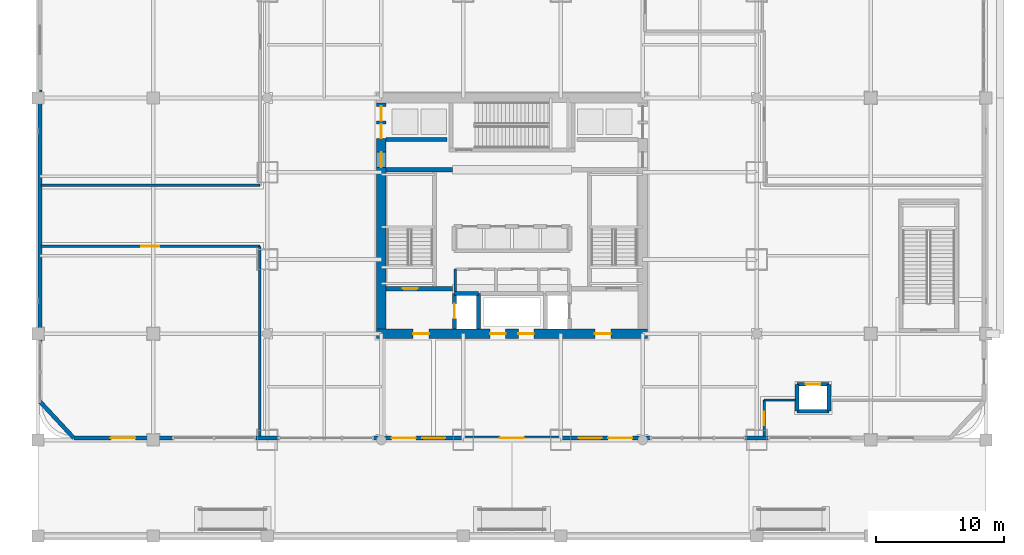
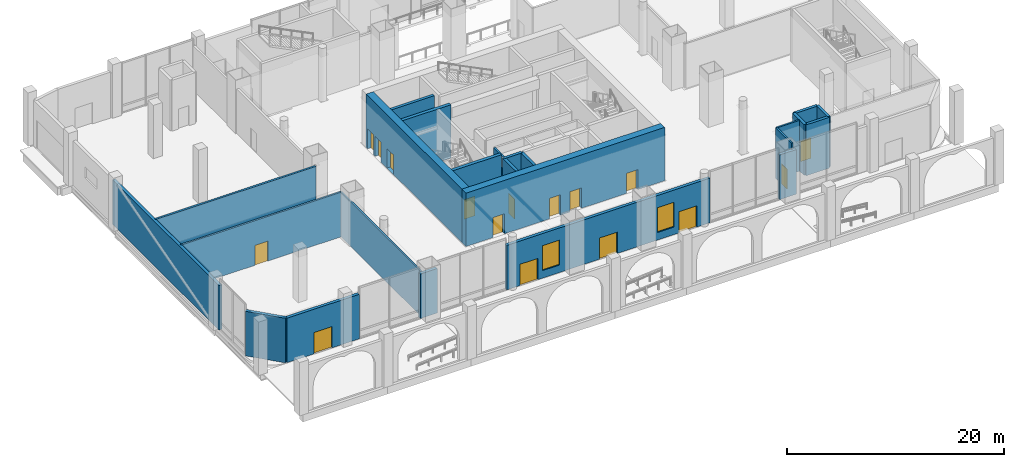
# One storey, part 21 of 32: 24 walls, 16 doors, 2 windows, 18 openings.
"""IFC4 building model written with IfcOpenShell, lengths in metres."""

import ifcopenshell
import ifcopenshell.guid

model = None  # the IFC model being written
_history = None  # IfcOwnerHistory: only IFC2X3 demands one
_inside = {}  # id of a spatial element -> (the spatial element, [elements in it])
_under = {}  # id of a project, library or spatial element -> (it, [spatial elements below it])
_declared = {}  # id of a project -> (the project, [libraries it declares])
_typed = {}  # id of a type object -> (the type object, [elements of that type])
_made_of = {}  # id of a material, layer set ... -> (it, [elements and type objects made of it])


def new_model(schema):
    """Start an empty IFC model of exactly this schema.

    Asked for "IFC4X3", IfcOpenShell would pick the latest addendum, in which some entities
    have other attributes; the version numbers below select the first issue.
    IFC2X3 requires an IfcOwnerHistory on every rooted entity: one is made here for all.
    """
    global model, _history
    if schema == "IFC4X3":
        model = ifcopenshell.file(schema_version=(4, 3, 0, 0))
    else:
        model = ifcopenshell.file(schema=schema)
    _inside.clear()
    _under.clear()
    _declared.clear()
    _typed.clear()
    _made_of.clear()
    _history = None
    if model.schema == "IFC2X3":
        org = make("IfcOrganization", Name="unknown")
        user = make(
            "IfcPersonAndOrganization",
            ThePerson=make("IfcPerson", FamilyName="unknown"),
            TheOrganization=org,
        )
        app = make(
            "IfcApplication",
            ApplicationDeveloper=org,
            Version="unknown",
            ApplicationFullName="unknown",
            ApplicationIdentifier="unknown",
        )
        _history = make(
            "IfcOwnerHistory",
            OwningUser=user,
            OwningApplication=app,
            ChangeAction="ADDED",
            CreationDate=0,
        )
    return model


def make(cls, **values):
    """One entity of the class cls with the attributes given. An attribute that is None is left unset."""
    return model.create_entity(
        cls, **{name: value for name, value in values.items() if value is not None}
    )


def rooted(cls, **values):
    """An entity with a GlobalId (a new one), such as an element, a storey or a relation."""
    return make(cls, GlobalId=ifcopenshell.guid.new(), OwnerHistory=_history, **values)


def si_unit(unit_type, name, prefix=None):
    """IfcSIUnit, for example si_unit("LENGTHUNIT", "METRE", prefix="MILLI")."""
    return make("IfcSIUnit", UnitType=unit_type, Prefix=prefix, Name=name)


def assignment(units):
    """IfcUnitAssignment: the units of a project."""
    return None if units is None else make("IfcUnitAssignment", Units=units)


def point(xyz):
    """IfcCartesianPoint."""
    return None if xyz is None else make("IfcCartesianPoint", Coordinates=xyz)


def direction(xyz):
    """IfcDirection."""
    return None if xyz is None else make("IfcDirection", DirectionRatios=xyz)


def frame(location, z_axis=None, x_axis=None):
    """IfcAxis2Placement3D, a coordinate frame: its origin and axes. An axis left out is left unset."""
    return make(
        "IfcAxis2Placement3D",
        Location=point(location),
        Axis=direction(z_axis),
        RefDirection=direction(x_axis),
    )


def frame_2d(location, x_axis=None):
    """IfcAxis2Placement2D, a coordinate frame in the plane: its origin and x axis."""
    return make(
        "IfcAxis2Placement2D", Location=point(location), RefDirection=direction(x_axis)
    )


def origin():
    """The frame at (0, 0, 0) with its axes left unset."""
    return frame((0.0, 0.0, 0.0))


def place(relative_to, where):
    """IfcLocalPlacement: puts the frame where relative to a parent placement (None: the world)."""
    return make(
        "IfcLocalPlacement", PlacementRelTo=relative_to, RelativePlacement=where
    )


def context(
    kind, dimensions, precision=None, world=None, true_north=None, identifier=None
):
    """IfcGeometricRepresentationContext, for example the 3D "Model" context."""
    return make(
        "IfcGeometricRepresentationContext",
        ContextIdentifier=identifier,
        ContextType=kind,
        CoordinateSpaceDimension=dimensions,
        Precision=precision,
        WorldCoordinateSystem=world,
        TrueNorth=true_north,
    )


def subcontext(parent, identifier, kind, view, scale=None):
    """IfcGeometricRepresentationSubContext, for example "Body" below "Model"."""
    return make(
        "IfcGeometricRepresentationSubContext",
        ContextIdentifier=identifier,
        ContextType=kind,
        ParentContext=parent,
        TargetScale=scale,
        TargetView=view,
    )


def project(units=None, contexts=None):
    """IfcProject with its units and contexts."""
    return rooted(
        "IfcProject",
        Name="project",
        RepresentationContexts=contexts,
        UnitsInContext=assignment(units),
    )


def spatial(cls, under=None, at=None, **own):
    """A site, building, storey or space (cls), placed at a placement, below another one or the project."""
    s = rooted(cls, ObjectPlacement=at, **own)
    if under is not None:
        _under.setdefault(under.id(), (under, []))[1].append(s)
    return s


def profile(cls, at=None, kind="AREA", **sizes):
    """A parametric profile (cls). Its sizes go by their IFC names, for example OverallWidth=200.0."""
    return make(cls, ProfileType=kind, Position=at, **sizes)


def rectangle(**sizes):
    """IfcRectangleProfileDef."""
    return profile("IfcRectangleProfileDef", **sizes)


def extrude(swept, where, along, depth):
    """IfcExtrudedAreaSolid: the profile swept, set in the frame where, extruded along a direction by depth."""
    return make(
        "IfcExtrudedAreaSolid",
        SweptArea=swept,
        Position=where,
        ExtrudedDirection=direction(along),
        Depth=depth,
    )


def shape(context_of_items, identifier, shape_type, items):
    """IfcShapeRepresentation: the items that make up one representation, for example the "Body"."""
    return make(
        "IfcShapeRepresentation",
        ContextOfItems=context_of_items,
        RepresentationIdentifier=identifier,
        RepresentationType=shape_type,
        Items=items,
    )


def material(Name=None, Category=None):
    """IfcMaterial."""
    return make("IfcMaterial", Name=Name, Category=Category)


def layer(
    of_material, thickness, ventilated=None, Name=None, Category=None, Priority=None
):
    """IfcMaterialLayer: one layer of a wall or slab, of a material (None: an air gap)."""
    return make(
        "IfcMaterialLayer",
        Material=of_material,
        LayerThickness=thickness,
        IsVentilated=ventilated,
        Name=Name,
        Category=Category,
        Priority=Priority,
    )


def layer_set(layers, Name=None):
    """IfcMaterialLayerSet."""
    return make("IfcMaterialLayerSet", MaterialLayers=layers, LayerSetName=Name)


def made_of(thing, what):
    """Note that an element or type object is made of a material, layer set ...; save() writes the relation."""
    if what is not None:
        _made_of.setdefault(what.id(), (what, []))[1].append(thing)
    return thing


def type_object(cls, material=None, **own):
    """A type object (cls), such as IfcWallType, which elements share."""
    return made_of(rooted(cls, **own), material)


def element(
    cls,
    number,
    at=None,
    inside=None,
    cuts=None,
    type_object=None,
    material=None,
    context=None,
    identifier="Body",
    shape_type=None,
    held_by="IfcProductDefinitionShape",
    body=None,
    shapes=None,
    **own,
):
    """One element of the class cls, such as IfcWall. Its Tag is "e" and its number.

    at: its placement. inside: the storey or other place that contains it. cuts: it is an
    opening in that element (IfcRelVoidsElement). A single representation is given by context,
    identifier, shape_type and body (its items); several are given by shapes. held_by: the class
    of the entity that holds the representations. save() writes the other relations.
    """
    e = rooted(cls, Tag="e%d" % number, ObjectPlacement=at, **own)
    if body is not None:
        shapes = [shape(context, identifier, shape_type, body)]
    if shapes is not None:
        e.Representation = make(held_by, Representations=shapes)
    if inside is not None:
        _inside.setdefault(inside.id(), (inside, []))[1].append(e)
    if cuts is not None:
        rooted(
            "IfcRelVoidsElement", RelatingBuildingElement=cuts, RelatedOpeningElement=e
        )
    if type_object is not None:
        _typed.setdefault(type_object.id(), (type_object, []))[1].append(e)
    return made_of(e, material)


def fill(opening, filler):
    """IfcRelFillsElement: the door or window that sits in an opening."""
    return rooted(
        "IfcRelFillsElement",
        RelatingOpeningElement=opening,
        RelatedBuildingElement=filler,
    )


def aggregate(whole, parts):
    """IfcRelAggregates: a whole, such as a stair, and the parts it consists of."""
    return rooted("IfcRelAggregates", RelatingObject=whole, RelatedObjects=parts)


def save(model, path):
    """Write the relations noted so far, then the file.

    IfcRelAggregates (storeys below a building ...), IfcRelContainedInSpatialStructure (elements
    in a storey), IfcRelDefinesByType, IfcRelAssociatesMaterial and IfcRelDeclares: one each for
    every whole, place, type object, material and project.
    """
    for whole, parts in _under.values():
        aggregate(whole, parts)
    for where, things in _inside.values():
        rooted(
            "IfcRelContainedInSpatialStructure",
            RelatedElements=things,
            RelatingStructure=where,
        )
    for kind, things in _typed.values():
        rooted("IfcRelDefinesByType", RelatedObjects=things, RelatingType=kind)
    for what, things in _made_of.values():
        rooted("IfcRelAssociatesMaterial", RelatedObjects=things, RelatingMaterial=what)
    for by, libraries in _declared.values():
        rooted("IfcRelDeclares", RelatingContext=by, RelatedDefinitions=libraries)
    model.write(path)


model = new_model("IFC4")

# Units and contexts
model_context = context("Model", 3, precision=1e-05, world=origin(), true_north=direction((0.0, 1.0)))
body_context = subcontext(model_context, "Body", "Model", "MODEL_VIEW")
ifc_project = project(units=[si_unit("LENGTHUNIT", "METRE"), si_unit("AREAUNIT", "SQUARE_METRE"), si_unit("VOLUMEUNIT", "CUBIC_METRE"), si_unit("PLANEANGLEUNIT", "RADIAN"), si_unit("MASSUNIT", "GRAM", prefix="KILO")], contexts=[model_context])

# Site, building, storey
site_placement = place(None, origin())
site = spatial("IfcSite", under=ifc_project, at=site_placement, CompositionType="ELEMENT")
building_placement = place(site_placement, origin())
building = spatial("IfcBuilding", under=site, at=building_placement, Name="Punatoya Terracotta Tower", CompositionType="ELEMENT")
storey_placement = place(building_placement, origin())
storey = spatial("IfcBuildingStorey", under=building, at=storey_placement, Name="L00", CompositionType="ELEMENT", Elevation=0.0)

# Wall, openings, doors
ifc_material_1 = material(Name="Concrete C60/75", Category="concrete")
ifc_layer_1 = layer(ifc_material_1, 0.75)
ifc_layer_set_1 = layer_set([ifc_layer_1], Name="Concrete C60/75")
wall_type_1 = type_object("IfcWallType", Name="WL-COR-750", PredefinedType="SHEAR", material=ifc_layer_set_1)
wall_1_placement = place(storey_placement, frame((10.574951171875, -9.199951171875, 0.0), z_axis=(0.0, 0.0, 1.0), x_axis=(-1.0, 0.0, 0.0)))
wall_1 = element("IfcWall", 1, at=wall_1_placement, inside=storey, type_object=wall_type_1, Name="L00 Core Shear Wall S", PredefinedType="SHEAR", context=body_context, shape_type="SweptSolid", body=[
    extrude(rectangle(XDim=21.14990234375, YDim=0.75, at=frame_2d((10.574951171875, 0.0))), origin(), (0.0, 0.0, 1.0), 6.0),
])
opening_1_placement = place(wall_1_placement, frame((2.85009765625, 0.0, 0.0)))
opening_1 = element("IfcOpeningElement", 2, at=opening_1_placement, cuts=wall_1, Name="Opening FD-L1", PredefinedType="OPENING", context=body_context, shape_type="SweptSolid", body=[
    extrude(rectangle(XDim=1.25, YDim=2.25, at=frame_2d((0.625, 1.125))), frame((0.0, 0.385009765625, 0.0), z_axis=(0.0, -1.0, 0.0), x_axis=(1.0, 0.0, 0.0)), (0.0, 0.0, 1.0), 0.77001953125),
])
opening_2_placement = place(wall_1_placement, frame((17.050048828125, 0.0, 0.0)))
opening_2 = element("IfcOpeningElement", 3, at=opening_2_placement, cuts=wall_1, Name="Opening FD-L1", PredefinedType="OPENING", context=body_context, shape_type="SweptSolid", body=[
    extrude(rectangle(XDim=1.25, YDim=2.25, at=frame_2d((0.625, 1.125))), frame((0.0, 0.385009765625, 0.0), z_axis=(0.0, -1.0, 0.0), x_axis=(1.0, 0.0, 0.0)), (0.0, 0.0, 1.0), 0.77001953125),
])
opening_3_placement = place(wall_1_placement, frame((11.074951171875, 0.0, 0.0)))
opening_3 = element("IfcOpeningElement", 4, at=opening_3_placement, cuts=wall_1, Name="Opening LD-01", PredefinedType="OPENING", context=body_context, shape_type="SweptSolid", body=[
    extrude(rectangle(XDim=1.199951171875, YDim=2.300048828125, at=frame_2d((0.60009765625, 1.14990234375))), frame((0.0, 0.385009765625, 0.0), z_axis=(0.0, -1.0, 0.0), x_axis=(1.0, 0.0, 0.0)), (0.0, 0.0, 1.0), 0.77001953125),
])
opening_4_placement = place(wall_1_placement, frame((8.875, 0.0, 0.0)))
opening_4 = element("IfcOpeningElement", 5, at=opening_4_placement, cuts=wall_1, Name="Opening LD-01", PredefinedType="OPENING", context=body_context, shape_type="SweptSolid", body=[
    extrude(rectangle(XDim=1.199951171875, YDim=2.300048828125, at=frame_2d((0.60009765625, 1.14990234375))), frame((0.0, 0.385009765625, 0.0), z_axis=(0.0, -1.0, 0.0), x_axis=(1.0, 0.0, 0.0)), (0.0, 0.0, 1.0), 0.77001953125),
])
ifc_material_2 = material(Name="Galvanised Steel Smokeproof Fire Door", Category="steel")
door_type_1 = type_object("IfcDoorType", Name="DR-FFL-1250", OperationType="NOTDEFINED", PredefinedType="DOOR", material=ifc_material_2)
door_1_placement = place(opening_1_placement, origin())
door_1 = element("IfcDoor", 6, at=door_1_placement, inside=storey, type_object=door_type_1, Name="L00 East Firefighting Lobby Corridor Fire Door", OperationType="SINGLE_SWING_LEFT", OverallHeight=2.25, OverallWidth=1.25, PredefinedType="DOOR", context=body_context, shape_type="SweptSolid", body=[
    extrude(rectangle(XDim=1.25, YDim=2.25, at=frame_2d((0.625, 1.125))), frame((0.0, 0.02490234375, 0.0), z_axis=(0.0, -1.0, 0.0), x_axis=(1.0, 0.0, 0.0)), (0.0, 0.0, 1.0), 0.050048828125),
])
fill(opening_1, door_1)
door_2_placement = place(opening_2_placement, origin())
door_2 = element("IfcDoor", 7, at=door_2_placement, inside=storey, type_object=door_type_1, Name="L00 West Firefighting Lobby Corridor Fire Door", OperationType="SINGLE_SWING_RIGHT", OverallHeight=2.25, OverallWidth=1.25, PredefinedType="DOOR", context=body_context, shape_type="SweptSolid", body=[
    extrude(rectangle(XDim=1.25, YDim=2.25, at=frame_2d((0.625, 1.125))), frame((0.0, 0.02490234375, 0.0), z_axis=(0.0, -1.0, 0.0), x_axis=(1.0, 0.0, 0.0)), (0.0, 0.0, 1.0), 0.050048828125),
])
fill(opening_2, door_2)
ifc_material_3 = material(Name="Stainless Steel Lift Landing Door", Category="steel")
door_type_2 = type_object("IfcDoorType", Name="DR-LND-1200", OperationType="NOTDEFINED", PredefinedType="DOOR", material=ifc_material_3)
door_3_placement = place(opening_3_placement, origin())
door_3 = element("IfcDoor", 8, at=door_3_placement, inside=storey, type_object=door_type_2, Name="L00 Observation Express OB-1 Sliding Landing Door", OperationType="DOUBLE_DOOR_SLIDING", OverallHeight=2.300048828125, OverallWidth=1.199951171875, PredefinedType="DOOR", context=body_context, shape_type="SweptSolid", body=[
    extrude(rectangle(XDim=1.199951171875, YDim=2.300048828125, at=frame_2d((0.60009765625, 1.14990234375))), frame((0.0, 0.02490234375, 0.0), z_axis=(0.0, -1.0, 0.0), x_axis=(1.0, 0.0, 0.0)), (0.0, 0.0, 1.0), 0.050048828125),
])
fill(opening_3, door_3)
door_4_placement = place(opening_4_placement, origin())
door_4 = element("IfcDoor", 9, at=door_4_placement, inside=storey, type_object=door_type_2, Name="L00 Observation Express OB-2 Sliding Landing Door", OperationType="DOUBLE_DOOR_SLIDING", OverallHeight=2.300048828125, OverallWidth=1.199951171875, PredefinedType="DOOR", context=body_context, shape_type="SweptSolid", body=[
    extrude(rectangle(XDim=1.199951171875, YDim=2.300048828125, at=frame_2d((0.60009765625, 1.14990234375))), frame((0.0, 0.02490234375, 0.0), z_axis=(0.0, -1.0, 0.0), x_axis=(1.0, 0.0, 0.0)), (0.0, 0.0, 1.0), 0.050048828125),
])
fill(opening_4, door_4)

wall_2_placement = place(storey_placement, frame((-10.199951171875, -8.824951171875, 0.0), z_axis=(0.0, 0.0, 1.0), x_axis=(0.0, 1.0, 0.0)))
wall_2 = element("IfcWall", 10, at=wall_2_placement, inside=storey, type_object=wall_type_1, Name="L00 Core Shear Wall W", PredefinedType="SHEAR", context=body_context, shape_type="SweptSolid", body=[
    extrude(rectangle(XDim=17.64990234375, YDim=0.75, at=frame_2d((8.824951171875, 0.0))), origin(), (0.0, 0.0, 1.0), 6.0),
])
opening_5_placement = place(wall_2_placement, frame((12.614990234375, 0.0, 0.0)))
opening_5 = element("IfcOpeningElement", 11, at=opening_5_placement, cuts=wall_2, Name="Opening SD-01", PredefinedType="OPENING", context=body_context, shape_type="SweptSolid", body=[
    extrude(rectangle(XDim=1.179931640625, YDim=2.199951171875, at=frame_2d((0.58984375, 1.10009765625))), frame((0.0, 0.385009765625, 0.0), z_axis=(0.0, -1.0, 0.0), x_axis=(1.0, 0.0, 0.0)), (0.0, 0.0, 1.0), 0.77001953125),
])
opening_6_placement = place(wall_2_placement, frame((14.864990234375, 0.0, 0.0)))
opening_6 = element("IfcOpeningElement", 12, at=opening_6_placement, cuts=wall_2, Name="Opening LD-02", PredefinedType="OPENING", context=body_context, shape_type="SweptSolid", body=[
    extrude(rectangle(XDim=1.1201171875, YDim=2.25, at=frame_2d((0.56005859375, 1.125))), frame((0.0, 0.385009765625, 0.0), z_axis=(0.0, -1.0, 0.0), x_axis=(1.0, 0.0, 0.0)), (0.0, 0.0, 1.0), 0.77001953125),
])
opening_7_placement = place(wall_2_placement, frame((16.2451171875, 0.0, 0.0)))
opening_7 = element("IfcOpeningElement", 13, at=opening_7_placement, cuts=wall_2, Name="Opening LD-02", PredefinedType="OPENING", context=body_context, shape_type="SweptSolid", body=[
    extrude(rectangle(XDim=1.1201171875, YDim=2.25, at=frame_2d((0.56005859375, 1.125))), frame((0.0, 0.385009765625, 0.0), z_axis=(0.0, -1.0, 0.0), x_axis=(1.0, 0.0, 0.0)), (0.0, 0.0, 1.0), 0.77001953125),
])
door_type_3 = type_object("IfcDoorType", Name="DR-LND-1120", OperationType="NOTDEFINED", PredefinedType="DOOR", material=ifc_material_3)
door_5_placement = place(opening_6_placement, origin())
door_5 = element("IfcDoor", 14, at=door_5_placement, inside=storey, type_object=door_type_3, Name="L00 Sky-Lobby Shuttle SL-1A Sliding Landing Door", OperationType="DOUBLE_DOOR_SLIDING", OverallHeight=2.25, OverallWidth=1.1201171875, PredefinedType="DOOR", context=body_context, shape_type="SweptSolid", body=[
    extrude(rectangle(XDim=1.1201171875, YDim=2.25, at=frame_2d((0.56005859375, 1.125))), frame((0.0, 0.02490234375, 0.0), z_axis=(0.0, -1.0, 0.0), x_axis=(1.0, 0.0, 0.0)), (0.0, 0.0, 1.0), 0.050048828125),
])
fill(opening_6, door_5)
door_6_placement = place(opening_7_placement, origin())
door_6 = element("IfcDoor", 15, at=door_6_placement, inside=storey, type_object=door_type_3, Name="L00 Sky-Lobby Shuttle SL-1B Sliding Landing Door", OperationType="DOUBLE_DOOR_SLIDING", OverallHeight=2.25, OverallWidth=1.1201171875, PredefinedType="DOOR", context=body_context, shape_type="SweptSolid", body=[
    extrude(rectangle(XDim=1.1201171875, YDim=2.25, at=frame_2d((0.56005859375, 1.125))), frame((0.0, 0.02490234375, 0.0), z_axis=(0.0, -1.0, 0.0), x_axis=(1.0, 0.0, 0.0)), (0.0, 0.0, 1.0), 0.050048828125),
])
fill(opening_7, door_6)
ifc_material_4 = material(Name="Galvanised Steel Pressurized Stair Fire Door", Category="steel")
door_type_4 = type_object("IfcDoorType", Name="DR-STR-1180", OperationType="NOTDEFINED", PredefinedType="DOOR", material=ifc_material_4)
door_7_placement = place(opening_5_placement, origin())
door_7 = element("IfcDoor", 16, at=door_7_placement, inside=storey, type_object=door_type_4, Name="L00 Central Lift Lobby West Fire Door", OperationType="SINGLE_SWING_LEFT", OverallHeight=2.199951171875, OverallWidth=1.179931640625, PredefinedType="DOOR", context=body_context, shape_type="SweptSolid", body=[
    extrude(rectangle(XDim=1.179931640625, YDim=2.199951171875, at=frame_2d((0.58984375, 1.10009765625))), frame((0.0, 0.02490234375, 0.0), z_axis=(0.0, -1.0, 0.0), x_axis=(1.0, 0.0, 0.0)), (0.0, 0.0, 1.0), 0.050048828125),
])
fill(opening_5, door_7)

# Wall, opening, door
ifc_material_5 = material(Name="Gypsum Fireboard + Steel Stud", Category="steel")
ifc_layer_2 = layer(ifc_material_5, 0.179931640625)
ifc_layer_set_2 = layer_set([ifc_layer_2], Name="Gypsum Fireboard + Steel Stud")
wall_type_2 = type_object("IfcWallType", Name="WL-CORR-180", PredefinedType="PARTITIONING", material=ifc_layer_set_2)
wall_3_placement = place(storey_placement, frame((-36.780029296875, -2.3798828125, 0.0), z_axis=(0.0, 0.0, 1.0), x_axis=(1.0, 0.0, 0.0)))
wall_3 = element("IfcWall", 17, at=wall_3_placement, inside=storey, type_object=wall_type_2, Name="L00 West Heritage Terracotta Exhibition Gallery Partition 08", PredefinedType="PARTITIONING", context=body_context, shape_type="SweptSolid", body=[
    extrude(rectangle(XDim=17.10009765625, YDim=0.179931640625, at=frame_2d((8.550048828125, 0.0))), origin(), (0.0, 0.0, 1.0), 5.013916015625),
])
opening_8_placement = place(wall_3_placement, frame((7.85009765625, 0.0, 0.0)))
opening_8 = element("IfcOpeningElement", 18, at=opening_8_placement, cuts=wall_3, Name="Opening BD-01", PredefinedType="OPENING", context=body_context, shape_type="SweptSolid", body=[
    extrude(rectangle(XDim=1.39990234375, YDim=2.25, at=frame_2d((0.699951171875, 1.125))), frame((0.0, 0.099853515625, 0.0), z_axis=(0.0, -1.0, 0.0), x_axis=(1.0, 0.0, 0.0)), (0.0, 0.0, 1.0), 0.199951171875),
])
ifc_material_6 = material(Name="Bengal Teak Acoustic Leaf")
door_type_5 = type_object("IfcDoorType", Name="DR-BRD-1400", OperationType="NOTDEFINED", PredefinedType="DOOR", material=ifc_material_6)
door_8_placement = place(opening_8_placement, origin())
door_8 = element("IfcDoor", 19, at=door_8_placement, inside=storey, type_object=door_type_5, Name="L00 West Heritage Terracotta Exhibition Gallery Door", OperationType="SINGLE_SWING_RIGHT", OverallHeight=2.25, OverallWidth=1.39990234375, PredefinedType="DOOR", context=body_context, shape_type="SweptSolid", body=[
    extrude(rectangle(XDim=1.39990234375, YDim=2.25, at=frame_2d((0.699951171875, 1.125))), frame((0.0, 0.02490234375, 0.0), z_axis=(0.0, -1.0, 0.0), x_axis=(1.0, 0.0, 0.0)), (0.0, 0.0, 1.0), 0.050048828125),
])
fill(opening_8, door_8)

# Wall
wall_4_placement = place(storey_placement, frame((-19.679931640625, -2.3798828125, 0.0), z_axis=(0.0, 0.0, 1.0), x_axis=(0.0, -1.0, 0.0)))
element("IfcWall", 20, at=wall_4_placement, inside=storey, type_object=wall_type_2, Name="L00 West Heritage Terracotta Exhibition Gallery Partition 09", PredefinedType="PARTITIONING", context=body_context, shape_type="SweptSolid", body=[
    extrude(rectangle(XDim=14.900146484375, YDim=0.179931640625, at=frame_2d((7.4501953125, 0.0))), origin(), (0.0, 0.0, 1.0), 5.013916015625),
])

# Wall, opening, door
wall_5_placement = place(storey_placement, frame((19.679931640625, -17.280029296875, 0.0), z_axis=(0.0, 0.0, 1.0), x_axis=(0.0, 1.0, 0.0)))
wall_5 = element("IfcWall", 21, at=wall_5_placement, inside=storey, type_object=wall_type_2, Name="L00 Waterfront Banking and Visitor Reception Suite Partition 12", PredefinedType="PARTITIONING", context=body_context, shape_type="SweptSolid", body=[
    extrude(rectangle(XDim=2.900146484375, YDim=0.179931640625, at=frame_2d((1.4501953125, 0.0))), origin(), (0.0, 0.0, 1.0), 5.719970703125),
])
opening_9_placement = place(wall_5_placement, frame((0.925048828125, 0.0, 0.0)))
opening_9 = element("IfcOpeningElement", 22, at=opening_9_placement, cuts=wall_5, Name="Opening OD-01", PredefinedType="OPENING", context=body_context, shape_type="SweptSolid", body=[
    extrude(rectangle(XDim=1.050048828125, YDim=2.199951171875, at=frame_2d((0.52490234375, 1.10009765625))), frame((0.0, 0.099853515625, 0.0), z_axis=(0.0, -1.0, 0.0), x_axis=(1.0, 0.0, 0.0)), (0.0, 0.0, 1.0), 0.199951171875),
])
ifc_material_7 = material(Name="Bengal Teak Solid-Core Leaf")
door_type_6 = type_object("IfcDoorType", Name="DR-OFF-1050", OperationType="NOTDEFINED", PredefinedType="DOOR", material=ifc_material_7)
door_9_placement = place(opening_9_placement, origin())
door_9 = element("IfcDoor", 23, at=door_9_placement, inside=storey, type_object=door_type_6, Name="L00 Waterfront Banking and Visitor Reception Suite Door", OperationType="SINGLE_SWING_RIGHT", OverallHeight=2.199951171875, OverallWidth=1.050048828125, PredefinedType="DOOR", context=body_context, shape_type="SweptSolid", body=[
    extrude(rectangle(XDim=1.050048828125, YDim=2.199951171875, at=frame_2d((0.52490234375, 1.10009765625))), frame((0.0, 0.02490234375, 0.0), z_axis=(0.0, -1.0, 0.0), x_axis=(1.0, 0.0, 0.0)), (0.0, 0.0, 1.0), 0.050048828125),
])
fill(opening_9, door_9)

# Wall
wall_6_placement = place(storey_placement, frame((19.679931640625, -14.3798828125, 0.0), z_axis=(0.0, 0.0, 1.0), x_axis=(1.0, 0.0, 0.0)))
element("IfcWall", 24, at=wall_6_placement, inside=storey, type_object=wall_type_2, Name="L00 Waterfront Banking and Visitor Reception Suite Partition 13", PredefinedType="PARTITIONING", context=body_context, shape_type="SweptSolid", body=[
    extrude(rectangle(XDim=2.4599609375, YDim=0.179931640625, at=frame_2d((1.22998046875, 0.0))), origin(), (0.0, 0.0, 1.0), 5.719970703125),
])

# Wall, opening, door
ifc_material_8 = material(Name="Precast concrete C40/50", Category="concrete")
ifc_layer_3 = layer(ifc_material_8, 0.320068359375)
ifc_layer_set_3 = layer_set([ifc_layer_3], Name="Precast concrete C40/50")
wall_type_3 = type_object("IfcWallType", Name="WL-EXT-320", PredefinedType="SOLIDWALL", material=ifc_layer_set_3)
wall_7_placement = place(storey_placement, frame((-26.5, -17.340087890625, 0.0), z_axis=(0.0, 0.0, 1.0), x_axis=(-1.0, 0.0, 0.0)))
wall_7 = element("IfcWall", 25, at=wall_7_placement, inside=storey, type_object=wall_type_3, Name="L00 South-West Terracotta Portal Wall", PredefinedType="SOLIDWALL", context=body_context, shape_type="SweptSolid", body=[
    extrude(rectangle(XDim=7.699951171875, YDim=0.320068359375, at=frame_2d((3.85009765625, 0.0))), origin(), (0.0, 0.0, 1.0), 5.013916015625),
])
opening_10_placement = place(wall_7_placement, frame((2.89990234375, 0.0, 0.0)))
opening_10 = element("IfcOpeningElement", 26, at=opening_10_placement, cuts=wall_7, Name="Opening EX-D1", PredefinedType="OPENING", context=body_context, shape_type="SweptSolid", body=[
    extrude(rectangle(XDim=1.89990234375, YDim=2.39990234375, at=frame_2d((0.949951171875, 1.199951171875))), frame((0.0, 0.169921875, 0.0), z_axis=(0.0, -1.0, 0.0), x_axis=(1.0, 0.0, 0.0)), (0.0, 0.0, 1.0), 0.340087890625),
])
ifc_material_9 = material(Name="Aluminium 6063-T6 + Safety Glass", Category="aluminium")
door_type_7 = type_object("IfcDoorType", Name="DR-EXIT-1900", OperationType="NOTDEFINED", PredefinedType="DOOR", material=ifc_material_9)
door_10_placement = place(opening_10_placement, origin())
door_10 = element("IfcDoor", 27, at=door_10_placement, inside=storey, type_object=door_type_7, Name="L00 South-West Waterfront Exit Door", OperationType="DOUBLE_DOOR_SINGLE_SWING", OverallHeight=2.39990234375, OverallWidth=1.89990234375, PredefinedType="DOOR", context=body_context, shape_type="SweptSolid", body=[
    extrude(rectangle(XDim=1.89990234375, YDim=2.39990234375, at=frame_2d((0.949951171875, 1.199951171875))), frame((0.0, 0.02490234375, 0.0), z_axis=(0.0, -1.0, 0.0), x_axis=(1.0, 0.0, 0.0)), (0.0, 0.0, 1.0), 0.050048828125),
])
fill(opening_10, door_10)

# Wall
wall_8_placement = place(storey_placement, frame((-18.199951171875, -17.340087890625, 0.0), z_axis=(0.0, 0.0, 1.0), x_axis=(-1.0, 0.0, 0.0)))
element("IfcWall", 28, at=wall_8_placement, inside=storey, type_object=wall_type_3, Name="L00 Mega-Column Terracotta Cladding Pier SW", PredefinedType="SOLIDWALL", context=body_context, shape_type="SweptSolid", body=[
    extrude(rectangle(XDim=1.800048828125, YDim=0.320068359375, at=frame_2d((0.89990234375, 0.0))), origin(), (0.0, 0.0, 1.0), 5.013916015625),
])

# Wall, openings, doors, windows
wall_9_placement = place(storey_placement, frame((10.800048828125, -17.340087890625, 0.0), z_axis=(0.0, 0.0, 1.0), x_axis=(-1.0, 0.0, 0.0)))
wall_9 = element("IfcWall", 29, at=wall_9_placement, inside=storey, type_object=wall_type_3, Name="L00 Grand Waterfront Entrance Portal Wall", PredefinedType="SOLIDWALL", context=body_context, shape_type="SweptSolid", body=[
    extrude(rectangle(XDim=21.60009765625, YDim=0.320068359375, at=frame_2d((10.800048828125, 0.0))), origin(), (0.0, 0.0, 1.0), 5.013916015625),
])
opening_11_placement = place(wall_9_placement, frame((1.39990234375, 0.0, 0.0)))
opening_11 = element("IfcOpeningElement", 30, at=opening_11_placement, cuts=wall_9, Name="Opening EX-D1", PredefinedType="OPENING", context=body_context, shape_type="SweptSolid", body=[
    extrude(rectangle(XDim=1.89990234375, YDim=2.39990234375, at=frame_2d((0.949951171875, 1.199951171875))), frame((0.0, 0.169921875, 0.0), z_axis=(0.0, -1.0, 0.0), x_axis=(1.0, 0.0, 0.0)), (0.0, 0.0, 1.0), 0.340087890625),
])
opening_12_placement = place(wall_9_placement, frame((3.800048828125, 0.0, 0.85009765625)))
opening_12 = element("IfcOpeningElement", 31, at=opening_12_placement, cuts=wall_9, Name="Opening WN-02", PredefinedType="OPENING", context=body_context, shape_type="SweptSolid", body=[
    extrude(rectangle(XDim=1.800048828125, YDim=2.800048828125, at=frame_2d((0.89990234375, 1.39990234375))), frame((0.0, 0.169921875, 0.0), z_axis=(0.0, -1.0, 0.0), x_axis=(1.0, 0.0, 0.0)), (0.0, 0.0, 1.0), 0.340087890625),
])
opening_13_placement = place(wall_9_placement, frame((9.85009765625, 0.0, 0.0)))
opening_13 = element("IfcOpeningElement", 32, at=opening_13_placement, cuts=wall_9, Name="Opening EX-D1", PredefinedType="OPENING", context=body_context, shape_type="SweptSolid", body=[
    extrude(rectangle(XDim=1.89990234375, YDim=2.39990234375, at=frame_2d((0.949951171875, 1.199951171875))), frame((0.0, 0.169921875, 0.0), z_axis=(0.0, -1.0, 0.0), x_axis=(1.0, 0.0, 0.0)), (0.0, 0.0, 1.0), 0.340087890625),
])
opening_14_placement = place(wall_9_placement, frame((16.0, 0.0, 0.85009765625)))
opening_14 = element("IfcOpeningElement", 33, at=opening_14_placement, cuts=wall_9, Name="Opening WN-02", PredefinedType="OPENING", context=body_context, shape_type="SweptSolid", body=[
    extrude(rectangle(XDim=1.800048828125, YDim=2.800048828125, at=frame_2d((0.89990234375, 1.39990234375))), frame((0.0, 0.169921875, 0.0), z_axis=(0.0, -1.0, 0.0), x_axis=(1.0, 0.0, 0.0)), (0.0, 0.0, 1.0), 0.340087890625),
])
opening_15_placement = place(wall_9_placement, frame((18.300048828125, 0.0, 0.0)))
opening_15 = element("IfcOpeningElement", 34, at=opening_15_placement, cuts=wall_9, Name="Opening EX-D1", PredefinedType="OPENING", context=body_context, shape_type="SweptSolid", body=[
    extrude(rectangle(XDim=1.89990234375, YDim=2.39990234375, at=frame_2d((0.949951171875, 1.199951171875))), frame((0.0, 0.169921875, 0.0), z_axis=(0.0, -1.0, 0.0), x_axis=(1.0, 0.0, 0.0)), (0.0, 0.0, 1.0), 0.340087890625),
])
door_11_placement = place(opening_11_placement, origin())
door_11 = element("IfcDoor", 35, at=door_11_placement, inside=storey, type_object=door_type_7, Name="L00 Grand Waterfront East Entrance Door", OperationType="DOUBLE_DOOR_SINGLE_SWING", OverallHeight=2.39990234375, OverallWidth=1.89990234375, PredefinedType="DOOR", context=body_context, shape_type="SweptSolid", body=[
    extrude(rectangle(XDim=1.89990234375, YDim=2.39990234375, at=frame_2d((0.949951171875, 1.199951171875))), frame((0.0, 0.02490234375, 0.0), z_axis=(0.0, -1.0, 0.0), x_axis=(1.0, 0.0, 0.0)), (0.0, 0.0, 1.0), 0.050048828125),
])
fill(opening_11, door_11)
door_12_placement = place(opening_13_placement, origin())
door_12 = element("IfcDoor", 36, at=door_12_placement, inside=storey, type_object=door_type_7, Name="L00 Grand Waterfront Central Entrance Door", OperationType="DOUBLE_DOOR_SINGLE_SWING", OverallHeight=2.39990234375, OverallWidth=1.89990234375, PredefinedType="DOOR", context=body_context, shape_type="SweptSolid", body=[
    extrude(rectangle(XDim=1.89990234375, YDim=2.39990234375, at=frame_2d((0.949951171875, 1.199951171875))), frame((0.0, 0.02490234375, 0.0), z_axis=(0.0, -1.0, 0.0), x_axis=(1.0, 0.0, 0.0)), (0.0, 0.0, 1.0), 0.050048828125),
])
fill(opening_13, door_12)
door_13_placement = place(opening_15_placement, origin())
door_13 = element("IfcDoor", 37, at=door_13_placement, inside=storey, type_object=door_type_7, Name="L00 Grand Waterfront West Entrance Door", OperationType="DOUBLE_DOOR_SINGLE_SWING", OverallHeight=2.39990234375, OverallWidth=1.89990234375, PredefinedType="DOOR", context=body_context, shape_type="SweptSolid", body=[
    extrude(rectangle(XDim=1.89990234375, YDim=2.39990234375, at=frame_2d((0.949951171875, 1.199951171875))), frame((0.0, 0.02490234375, 0.0), z_axis=(0.0, -1.0, 0.0), x_axis=(1.0, 0.0, 0.0)), (0.0, 0.0, 1.0), 0.050048828125),
])
fill(opening_15, door_13)
ifc_material_10 = material(Name="Aluminium 6063-T6 + Double Low-E Glass", Category="aluminium")
window_type = type_object("IfcWindowType", Name="WIN-POD-1800", PartitioningType="SINGLE_PANEL", PredefinedType="WINDOW", material=ifc_material_10)
window_1_placement = place(opening_12_placement, origin())
window_1 = element("IfcWindow", 38, at=window_1_placement, inside=storey, type_object=window_type, Name="L00 Grand Portal Arch Window East", OverallHeight=2.800048828125, OverallWidth=1.800048828125, PartitioningType="SINGLE_PANEL", PredefinedType="WINDOW", context=body_context, shape_type="SweptSolid", body=[
    extrude(rectangle(XDim=1.800048828125, YDim=2.800048828125, at=frame_2d((0.89990234375, 1.39990234375))), frame((0.0, 0.030029296875, 0.0), z_axis=(0.0, -1.0, 0.0), x_axis=(1.0, 0.0, 0.0)), (0.0, 0.0, 1.0), 0.06005859375),
])
fill(opening_12, window_1)
window_2_placement = place(opening_14_placement, origin())
window_2 = element("IfcWindow", 39, at=window_2_placement, inside=storey, type_object=window_type, Name="L00 Grand Portal Arch Window West", OverallHeight=2.800048828125, OverallWidth=1.800048828125, PartitioningType="SINGLE_PANEL", PredefinedType="WINDOW", context=body_context, shape_type="SweptSolid", body=[
    extrude(rectangle(XDim=1.800048828125, YDim=2.800048828125, at=frame_2d((0.89990234375, 1.39990234375))), frame((0.0, 0.030029296875, 0.0), z_axis=(0.0, -1.0, 0.0), x_axis=(1.0, 0.0, 0.0)), (0.0, 0.0, 1.0), 0.06005859375),
])
fill(opening_14, window_2)

# Walls
wall_10_placement = place(storey_placement, frame((20.0, -17.340087890625, 0.0), z_axis=(0.0, 0.0, 1.0), x_axis=(-1.0, 0.0, 0.0)))
element("IfcWall", 40, at=wall_10_placement, inside=storey, type_object=wall_type_3, Name="L00 Mega-Column Terracotta Cladding Pier SE", PredefinedType="SOLIDWALL", context=body_context, shape_type="SweptSolid", body=[
    extrude(rectangle(XDim=1.800048828125, YDim=0.320068359375, at=frame_2d((0.89990234375, 0.0))), origin(), (0.0, 0.0, 1.0), 5.013916015625),
])
wall_11_placement = place(storey_placement, frame((-36.840087890625, -9.820068359375, 0.0), z_axis=(0.0, 0.0, 1.0), x_axis=(0.0, 1.0, 0.0)))
element("IfcWall", 41, at=wall_11_placement, inside=storey, type_object=wall_type_3, Name="L00 West Braced Terracotta Shear Wall", PredefinedType="SOLIDWALL", context=body_context, shape_type="SweptSolid", body=[
    extrude(rectangle(XDim=19.64013671875, YDim=0.320068359375, at=frame_2d((9.820068359375, 0.0))), origin(), (0.0, 0.0, 1.0), 5.013916015625),
])
wall_12_placement = place(storey_placement, frame((-34.199951171875, -17.340087890625, 0.0), z_axis=(0.0, 0.0, 1.0), x_axis=(-0.680854288177, 0.732418895354, 0.0)))
element("IfcWall", 42, at=wall_12_placement, inside=storey, type_object=wall_type_3, Name="L00 Terracotta Corner Pier 1", PredefinedType="SOLIDWALL", context=body_context, shape_type="SweptSolid", body=[
    extrude(rectangle(XDim=3.877685546875, YDim=0.320068359375, at=frame_2d((1.93896484375, 0.0))), origin(), (0.0, 0.0, 1.0), 5.013916015625),
])
ifc_material_11 = material(Name="Concrete C40/50", Category="concrete")
ifc_layer_4 = layer(ifc_material_11, 0.219970703125)
ifc_layer_set_4 = layer_set([ifc_layer_4], Name="Concrete C40/50")
wall_type_4 = type_object("IfcWallType", Name="WL-FIR-220", PredefinedType="SOLIDWALL", material=ifc_layer_set_4)
wall_13_placement = place(storey_placement, frame((-19.679931640625, 2.3798828125, 0.0), z_axis=(0.0, 0.0, 1.0), x_axis=(-1.0, 0.0, 0.0)))
element("IfcWall", 43, at=wall_13_placement, inside=storey, type_object=wall_type_4, Name="L00 Service Loading Dock and Marshalling Bay Partition 11", PredefinedType="SOLIDWALL", context=body_context, shape_type="SweptSolid", body=[
    extrude(rectangle(XDim=17.10009765625, YDim=0.219970703125, at=frame_2d((8.550048828125, 0.0))), origin(), (0.0, 0.0, 1.0), 5.013916015625),
])
ifc_layer_5 = layer(ifc_material_11, 0.199951171875)
ifc_layer_set_5 = layer_set([ifc_layer_5], Name="Concrete C40/50")
wall_type_5 = type_object("IfcWallType", Name="WL-INT-200", PredefinedType="SOLIDWALL", material=ifc_layer_set_5)
wall_14_placement = place(storey_placement, frame((-4.419921875, -4.159912109375, 0.0), z_axis=(0.0, 0.0, 1.0), x_axis=(0.0, -1.0, 0.0)))
element("IfcWall", 44, at=wall_14_placement, inside=storey, type_object=wall_type_5, Name="L00 Accessible Universal Washroom Partition 03", PredefinedType="SOLIDWALL", context=body_context, shape_type="SweptSolid", body=[
    extrude(rectangle(XDim=1.739990234375, YDim=0.199951171875, at=frame_2d((0.8701171875, 0.0))), origin(), (0.0, 0.0, 1.0), 5.719970703125),
])

# Wall, opening, door
ifc_layer_6 = layer(ifc_material_11, 0.300048828125)
ifc_layer_set_6 = layer_set([ifc_layer_6], Name="Concrete C40/50")
wall_type_6 = type_object("IfcWallType", Name="WL-SHF-300", PredefinedType="SOLIDWALL", material=ifc_layer_set_6)
wall_15_placement = place(storey_placement, frame((-4.489990234375, -8.820068359375, 0.0), z_axis=(0.0, 0.0, 1.0), x_axis=(0.0, 1.0, 0.0)))
wall_15 = element("IfcWall", 45, at=wall_15_placement, inside=storey, type_object=wall_type_6, Name="L00 FFL-1 Front Hoistway Wall", PredefinedType="SOLIDWALL", context=body_context, shape_type="SweptSolid", body=[
    extrude(rectangle(XDim=2.77001953125, YDim=0.300048828125, at=frame_2d((1.385009765625, 0.0))), origin(), (0.0, 0.0, 1.0), 5.719970703125),
])
opening_16_placement = place(wall_15_placement, frame((0.824951171875, 0.0, 0.0)))
opening_16 = element("IfcOpeningElement", 46, at=opening_16_placement, cuts=wall_15, Name="Opening LD-02", PredefinedType="OPENING", context=body_context, shape_type="SweptSolid", body=[
    extrude(rectangle(XDim=1.1201171875, YDim=2.25, at=frame_2d((0.56005859375, 1.125))), frame((0.0, 0.159912109375, 0.0), z_axis=(0.0, -1.0, 0.0), x_axis=(1.0, 0.0, 0.0)), (0.0, 0.0, 1.0), 0.320068359375),
])
door_14_placement = place(opening_16_placement, origin())
door_14 = element("IfcDoor", 47, at=door_14_placement, inside=storey, type_object=door_type_3, Name="L00 Firefighting Lift FFL-1 Sliding Landing Door", OperationType="SLIDING_TO_LEFT", OverallHeight=2.25, OverallWidth=1.1201171875, PredefinedType="DOOR", context=body_context, shape_type="SweptSolid", body=[
    extrude(rectangle(XDim=1.1201171875, YDim=2.25, at=frame_2d((0.56005859375, 1.125))), frame((0.0, 0.02490234375, 0.0), z_axis=(0.0, -1.0, 0.0), x_axis=(1.0, 0.0, 0.0)), (0.0, 0.0, 1.0), 0.050048828125),
])
fill(opening_16, door_14)

# Walls
wall_16_placement = place(storey_placement, frame((-2.610107421875, -8.820068359375, 0.0), z_axis=(0.0, 0.0, 1.0), x_axis=(0.0, 1.0, 0.0)))
element("IfcWall", 48, at=wall_16_placement, inside=storey, type_object=wall_type_6, Name="L00 FFL-1 Rear Hoistway Wall", PredefinedType="SOLIDWALL", context=body_context, shape_type="SweptSolid", body=[
    extrude(rectangle(XDim=2.77001953125, YDim=0.300048828125, at=frame_2d((1.385009765625, 0.0))), origin(), (0.0, 0.0, 1.0), 5.719970703125),
])
wall_17_placement = place(storey_placement, frame((-4.489990234375, -6.050048828125, 0.0), z_axis=(0.0, 0.0, 1.0), x_axis=(1.0, 0.0, 0.0)))
element("IfcWall", 49, at=wall_17_placement, inside=storey, type_object=wall_type_6, Name="L00 FFL-1 North Hoistway Wall", PredefinedType="SOLIDWALL", context=body_context, shape_type="SweptSolid", body=[
    extrude(rectangle(XDim=1.8798828125, YDim=0.300048828125, at=frame_2d((0.93994140625, 0.0))), origin(), (0.0, 0.0, 1.0), 5.719970703125),
])
wall_18_placement = place(storey_placement, frame((-9.820068359375, 5.949951171875, 0.0), z_axis=(0.0, 0.0, 1.0), x_axis=(1.0, 0.0, 0.0)))
element("IfcWall", 50, at=wall_18_placement, inside=storey, type_object=wall_type_6, Name="L00 Shuttle SL-1 South Hoistway Wall", PredefinedType="SOLIDWALL", context=body_context, shape_type="SweptSolid", body=[
    extrude(rectangle(XDim=4.760009765625, YDim=0.300048828125, at=frame_2d((2.3798828125, 0.0))), origin(), (0.0, 0.0, 1.0), 5.719970703125),
])

# Wall, opening, door
wall_19_placement = place(storey_placement, frame((22.25, -13.14990234375, 0.0), z_axis=(0.0, 0.0, 1.0), x_axis=(1.0, 0.0, 0.0)))
wall_19 = element("IfcWall", 51, at=wall_19_placement, inside=storey, type_object=wall_type_6, Name="L00 Podium Lift PL-P2 Front Wall", PredefinedType="SOLIDWALL", context=body_context, shape_type="SweptSolid", body=[
    extrude(rectangle(XDim=2.5, YDim=0.300048828125, at=frame_2d((1.25, 0.0))), origin(), (0.0, 0.0, 1.0), 5.719970703125),
])
opening_17_placement = place(wall_19_placement, frame((0.68994140625, 0.0, 0.0)))
opening_17 = element("IfcOpeningElement", 52, at=opening_17_placement, cuts=wall_19, Name="Opening LD-02", PredefinedType="OPENING", context=body_context, shape_type="SweptSolid", body=[
    extrude(rectangle(XDim=1.1201171875, YDim=2.25, at=frame_2d((0.56005859375, 1.125))), frame((0.0, 0.159912109375, 0.0), z_axis=(0.0, -1.0, 0.0), x_axis=(1.0, 0.0, 0.0)), (0.0, 0.0, 1.0), 0.320068359375),
])
door_15_placement = place(opening_17_placement, origin())
door_15 = element("IfcDoor", 53, at=door_15_placement, inside=storey, type_object=door_type_3, Name="L00 Podium Lift PL-P2 Sliding Landing Door", OperationType="DOUBLE_DOOR_SLIDING", OverallHeight=2.25, OverallWidth=1.1201171875, PredefinedType="DOOR", context=body_context, shape_type="SweptSolid", body=[
    extrude(rectangle(XDim=1.1201171875, YDim=2.25, at=frame_2d((0.56005859375, 1.125))), frame((0.0, 0.02490234375, 0.0), z_axis=(0.0, -1.0, 0.0), x_axis=(1.0, 0.0, 0.0)), (0.0, 0.0, 1.0), 0.050048828125),
])
fill(opening_17, door_15)

# Walls
wall_20_placement = place(storey_placement, frame((22.25, -15.25, 0.0), z_axis=(0.0, 0.0, 1.0), x_axis=(1.0, 0.0, 0.0)))
element("IfcWall", 54, at=wall_20_placement, inside=storey, type_object=wall_type_6, Name="L00 Podium Lift PL-P2 Rear Wall", PredefinedType="SOLIDWALL", context=body_context, shape_type="SweptSolid", body=[
    extrude(rectangle(XDim=2.5, YDim=0.300048828125, at=frame_2d((1.25, 0.0))), origin(), (0.0, 0.0, 1.0), 5.719970703125),
])
for number, where, z_axis, x_axis, name in (
    (55, (22.25, -15.25, 0.0), (0.0, 0.0, 1.0), (0.0, 1.0, 0.0), "L00 Podium Lift PL-P2 West Wall"),
    (56, (24.75, -15.25, 0.0), (0.0, 0.0, 1.0), (0.0, 1.0, 0.0), "L00 Podium Lift PL-P2 East Wall"),
):
    element("IfcWall", number, at=place(storey_placement, frame(where, z_axis=z_axis, x_axis=x_axis)), inside=storey, type_object=wall_type_6, Name=name, PredefinedType="SOLIDWALL", context=body_context, shape_type="SweptSolid", body=[
        extrude(rectangle(XDim=2.10009765625, YDim=0.300048828125, at=frame_2d((1.050048828125, 0.0))), origin(), (0.0, 0.0, 1.0), 5.719970703125),
    ])

# Wall, opening, door
ifc_material_12 = material(Name="Concrete C50/60", Category="concrete")
ifc_layer_7 = layer(ifc_material_12, 0.35009765625)
ifc_layer_set_7 = layer_set([ifc_layer_7], Name="Concrete C50/60")
wall_type_7 = type_object("IfcWallType", Name="WL-SHF-350", PredefinedType="SOLIDWALL", material=ifc_layer_set_7)
wall_21_placement = place(storey_placement, frame((-9.824951171875, -5.679931640625, 0.0), z_axis=(0.0, 0.0, 1.0), x_axis=(1.0, 0.0, 0.0)))
wall_21 = element("IfcWall", 57, at=wall_21_placement, inside=storey, type_object=wall_type_7, Name="L00 Core Web Wall CSW-L", PredefinedType="SOLIDWALL", context=body_context, shape_type="SweptSolid", body=[
    extrude(rectangle(XDim=5.175048828125, YDim=0.35009765625, at=frame_2d((2.58740234375, 0.0))), origin(), (0.0, 0.0, 1.0), 6.0),
])
opening_18_placement = place(wall_21_placement, frame((1.284912109375, 0.0, 0.0)))
opening_18 = element("IfcOpeningElement", 58, at=opening_18_placement, cuts=wall_21, Name="Opening SD-01", PredefinedType="OPENING", context=body_context, shape_type="SweptSolid", body=[
    extrude(rectangle(XDim=1.179931640625, YDim=2.199951171875, at=frame_2d((0.58984375, 1.10009765625))), frame((0.0, 0.18505859375, 0.0), z_axis=(0.0, -1.0, 0.0), x_axis=(1.0, 0.0, 0.0)), (0.0, 0.0, 1.0), 0.3701171875),
])
door_16_placement = place(opening_18_placement, origin())
door_16 = element("IfcDoor", 59, at=door_16_placement, inside=storey, type_object=door_type_4, Name="L00 Stair ST-1 Smokeproof Lobby Fire Door", OperationType="SINGLE_SWING_LEFT", OverallHeight=2.199951171875, OverallWidth=1.179931640625, PredefinedType="DOOR", context=body_context, shape_type="SweptSolid", body=[
    extrude(rectangle(XDim=1.179931640625, YDim=2.199951171875, at=frame_2d((0.58984375, 1.10009765625))), frame((0.0, 0.02490234375, 0.0), z_axis=(0.0, -1.0, 0.0), x_axis=(1.0, 0.0, 0.0)), (0.0, 0.0, 1.0), 0.050048828125),
])
fill(opening_18, door_16)

# Wall
wall_22_placement = place(storey_placement, frame((-9.824951171875, 3.60009765625, 0.0), z_axis=(0.0, 0.0, 1.0), x_axis=(1.0, 0.0, 0.0)))
element("IfcWall", 60, at=wall_22_placement, inside=storey, type_object=wall_type_7, Name="L00 Core Web Wall CNW-L", PredefinedType="SOLIDWALL", context=body_context, shape_type="SweptSolid", body=[
    extrude(rectangle(XDim=5.175048828125, YDim=0.35009765625, at=frame_2d((2.58740234375, 0.0))), origin(), (0.0, 0.0, 1.0), 6.0),
])

save(model, "model.ifc")
